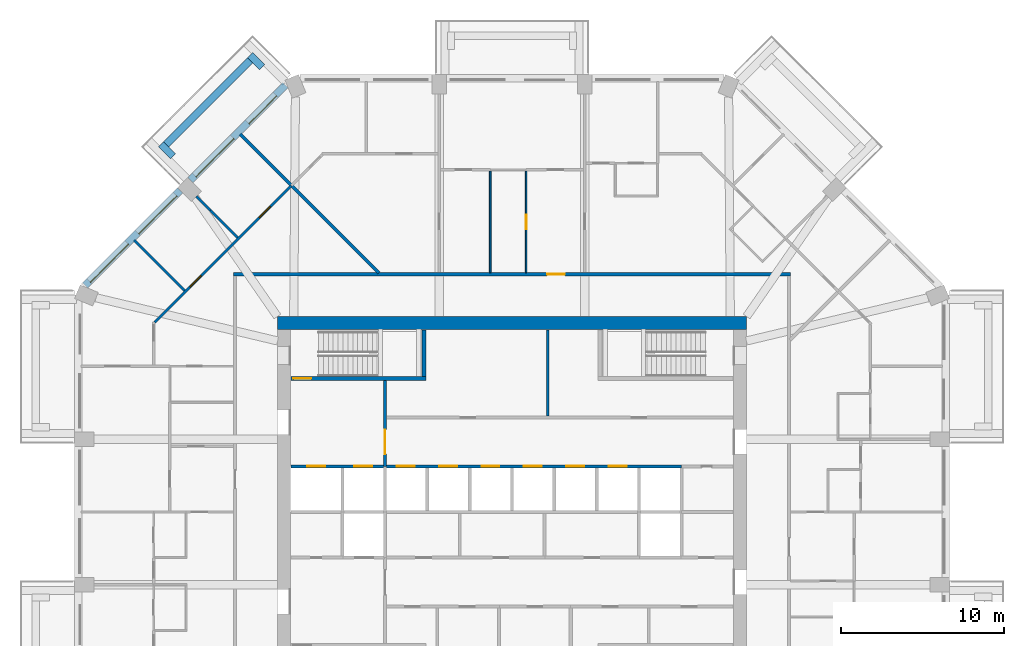
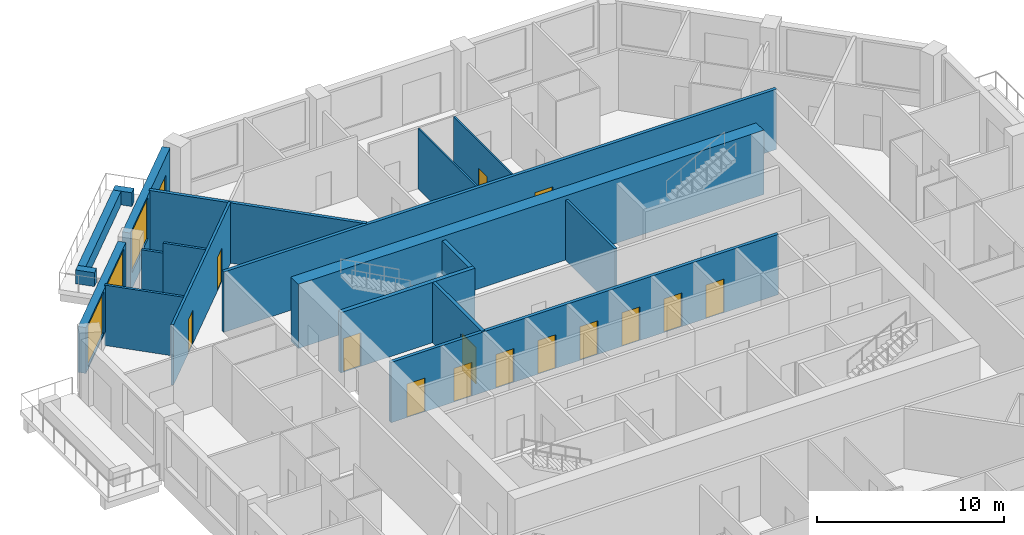
# One storey, part 8 of 13: 19 walls, 15 doors, 3 windows, 18 openings.
"""IFC4 building model written with IfcOpenShell, lengths in metres."""

from ifc_helpers import new_model, si_unit, direction, frame, frame_2d, origin, place, context, subcontext, project, spatial, rectangle, extrude, material, layer, layer_set, type_object, element, fill, save


model = new_model("IFC4")

# Units and contexts
model_context = context("Model", 3, precision=1e-05, world=origin(), true_north=direction((0.0, 1.0)))
body_context = subcontext(model_context, "Body", "Model", "MODEL_VIEW")
ifc_project = project(units=[si_unit("LENGTHUNIT", "METRE"), si_unit("AREAUNIT", "SQUARE_METRE"), si_unit("VOLUMEUNIT", "CUBIC_METRE"), si_unit("PLANEANGLEUNIT", "RADIAN"), si_unit("MASSUNIT", "GRAM", prefix="KILO")], contexts=[model_context])

# Site, building, storey
site_placement = place(None, origin())
site = spatial("IfcSite", under=ifc_project, at=site_placement, CompositionType="ELEMENT")
building_placement = place(site_placement, origin())
building = spatial("IfcBuilding", under=site, at=building_placement, Name="Msitu Wima Residences", CompositionType="ELEMENT")
storey_placement = place(building_placement, frame((0.0, 0.0, 131.699951171875)))
storey = spatial("IfcBuildingStorey", under=building, at=storey_placement, Name="L30", CompositionType="ELEMENT", Elevation=131.699951171875)

# Walls
ifc_material_1 = material(Name="Facing brick")
ifc_layer_1 = layer(ifc_material_1, 0.06494140625, Name="Facing brick")
ifc_material_2 = material(Name="Concrete C40/50", Category="concrete")
ifc_layer_2 = layer(ifc_material_2, 0.156005859375, Name="Concrete C40/50")
ifc_material_3 = material(Name="Waterproofing membrane")
ifc_layer_3 = layer(ifc_material_3, 0.00390625, Name="Waterproofing membrane")
ifc_material_4 = material(Name="Planting soil and planting")
ifc_layer_4 = layer(ifc_material_4, 0.22509765625, Name="Planting soil and planting")
ifc_layer_set_1 = layer_set([ifc_layer_1, ifc_layer_2, ifc_layer_3, ifc_layer_4], Name="Concrete C40/50")
wall_type_1 = type_object("IfcWallType", Name="Balcony planter PLANTER PL450", PredefinedType="USERDEFINED", material=ifc_layer_set_1)
wall_1_placement = place(storey_placement, frame((-16.0751953125, 27.725830078125, 0.0), z_axis=(0.0, 0.0, 1.0), x_axis=(-0.707106781187, -0.707106781187, 0.0)))
element("IfcWall", 1, at=wall_1_placement, inside=storey, type_object=wall_type_1, Name="Balcony planter NW0 L30", ObjectType="PLANTER", PredefinedType="USERDEFINED", context=body_context, shape_type="SweptSolid", body=[
    extrude(rectangle(XDim=7.288330078125, YDim=0.449951171875, at=frame_2d((3.64404296875, 0.0))), origin(), (0.0, 0.0, 1.0), 0.900146484375),
])
for number, where, z_axis, x_axis, name in (
    (2, (-15.332763671875, 27.301513671875, 0.0), (0.0, 0.0, 1.0), (-0.707106781187, 0.707106781187, 0.0), "Balcony planter NW0 L30"),
    (3, (-20.804443359375, 21.829833984375, 0.0), (0.0, 0.0, 1.0), (-0.707106781187, 0.707106781187, 0.0), "Balcony planter NW0 L30"),
):
    element("IfcWall", number, at=place(storey_placement, frame(where, z_axis=z_axis, x_axis=x_axis)), inside=storey, type_object=wall_type_1, Name=name, ObjectType="PLANTER", PredefinedType="USERDEFINED", context=body_context, shape_type="SweptSolid", body=[
        extrude(rectangle(XDim=1.050048828125, YDim=0.449951171875, at=frame_2d((0.52490234375, 0.0))), origin(), (0.0, 0.0, 1.0), 0.900146484375),
    ])

# Wall, openings, door, window
ifc_material_5 = material(Name="Brick (red buff mix)", Category="masonry")
ifc_layer_5 = layer(ifc_material_5, 0.449951171875)
ifc_layer_set_2 = layer_set([ifc_layer_5], Name="Brick (red buff mix)")
wall_type_2 = type_object("IfcWallType", Name="Brick infill wall BW450", PredefinedType="SOLIDWALL", material=ifc_layer_set_2)
wall_2_placement = place(storey_placement, frame((-13.909423828125, 26.214599609375, 0.0), z_axis=(0.0, 0.0, 1.0), x_axis=(-0.707106781187, -0.707106781187, 0.0)))
wall_2 = element("IfcWall", 4, at=wall_2_placement, inside=storey, type_object=wall_type_2, Name="Brick infill wall L30 NW0", PredefinedType="SOLIDWALL", context=body_context, shape_type="SweptSolid", body=[
    extrude(rectangle(XDim=8.251220703125, YDim=0.449951171875, at=frame_2d((4.12548828125, 0.0))), origin(), (0.0, 0.0, 1.0), 3.900146484375),
])
opening_1_placement = place(wall_2_placement, frame((0.86279296875, 0.0, 0.0)))
opening_1 = element("IfcOpeningElement", 5, at=opening_1_placement, cuts=wall_2, Name="Opening D30-32.005", PredefinedType="OPENING", context=body_context, shape_type="SweptSolid", body=[
    extrude(rectangle(XDim=2.39990234375, YDim=2.699951171875, at=frame_2d((1.199951171875, 1.35009765625))), frame((0.0, 0.23486328125, 0.0), z_axis=(0.0, -1.0, 0.0), x_axis=(1.0, 0.0, 0.0)), (0.0, 0.0, 1.0), 0.469970703125),
])
opening_2_placement = place(wall_2_placement, frame((4.57568359375, 0.0, 1.050048828125)))
opening_2 = element("IfcOpeningElement", 6, at=opening_2_placement, cuts=wall_2, Name="Opening W30-32.013", PredefinedType="OPENING", context=body_context, shape_type="SweptSolid", body=[
    extrude(rectangle(XDim=3.300048828125, YDim=2.699951171875, at=frame_2d((1.64990234375, 1.35009765625))), frame((0.0, 0.23486328125, 0.0), z_axis=(0.0, -1.0, 0.0), x_axis=(1.0, 0.0, 0.0)), (0.0, 0.0, 1.0), 0.469970703125),
])
ifc_material_6 = material(Name="Anodised aluminium, bronze finish, clear low-emissivity double glazing", Category="aluminium")
door_type_1 = type_object("IfcDoorType", Name="Balcony door D2400x2700", OperationType="SLIDING_TO_LEFT", PredefinedType="DOOR", material=ifc_material_6)
door_1_placement = place(opening_1_placement, origin())
door_1 = element("IfcDoor", 7, at=door_1_placement, inside=storey, type_object=door_type_1, Name="Balcony door L30 NW0", OperationType="SINGLE_SWING_LEFT", OverallHeight=2.699951171875, OverallWidth=2.39990234375, PredefinedType="DOOR", context=body_context, shape_type="SweptSolid", body=[
    extrude(rectangle(XDim=2.39990234375, YDim=2.699951171875, at=frame_2d((1.199951171875, 1.35009765625))), frame((0.0, 0.1298828125, 0.0), z_axis=(0.0, -1.0, 0.0), x_axis=(1.0, 0.0, 0.0)), (0.0, 0.0, 1.0), 0.050048828125),
])
fill(opening_1, door_1)
window_type = type_object("IfcWindowType", Name="Window W3300x2700", PartitioningType="DOUBLE_PANEL_VERTICAL", PredefinedType="WINDOW", material=ifc_material_6)
window_1_placement = place(opening_2_placement, origin())
window_1 = element("IfcWindow", 8, at=window_1_placement, inside=storey, type_object=window_type, Name="Window L30 NW0.2", OverallHeight=2.699951171875, OverallWidth=3.300048828125, PartitioningType="SINGLE_PANEL", PredefinedType="WINDOW", context=body_context, shape_type="SweptSolid", body=[
    extrude(rectangle(XDim=3.300048828125, YDim=2.699951171875, at=frame_2d((1.64990234375, 1.35009765625))), frame((0.0, 0.135009765625, 0.0), z_axis=(0.0, -1.0, 0.0), x_axis=(1.0, 0.0, 0.0)), (0.0, 0.0, 1.0), 0.06005859375),
])
fill(opening_2, window_1)

# Wall, openings, windows
wall_3_placement = place(storey_placement, frame((-20.380126953125, 19.743896484375, 0.900146484375), z_axis=(0.0, 0.0, 1.0), x_axis=(-0.707106781187, -0.707106781187, 0.0)))
wall_3 = element("IfcWall", 9, at=wall_3_placement, inside=storey, type_object=wall_type_2, Name="Brick infill wall L30 NW1", PredefinedType="SOLIDWALL", context=body_context, shape_type="SweptSolid", body=[
    extrude(rectangle(XDim=8.251220703125, YDim=0.449951171875, at=frame_2d((4.12548828125, 0.0))), origin(), (0.0, 0.0, 1.0), 3.0),
])
opening_3_placement = place(wall_3_placement, frame((0.37548828125, 0.0, 0.14990234375)))
opening_3 = element("IfcOpeningElement", 10, at=opening_3_placement, cuts=wall_3, Name="Opening W30-32.014", PredefinedType="OPENING", context=body_context, shape_type="SweptSolid", body=[
    extrude(rectangle(XDim=3.300048828125, YDim=2.699951171875, at=frame_2d((1.64990234375, 1.35009765625))), frame((0.0, 0.23486328125, 0.0), z_axis=(0.0, -1.0, 0.0), x_axis=(1.0, 0.0, 0.0)), (0.0, 0.0, 1.0), 0.469970703125),
])
opening_4_placement = place(wall_3_placement, frame((4.57568359375, 0.0, 0.14990234375)))
opening_4 = element("IfcOpeningElement", 11, at=opening_4_placement, cuts=wall_3, Name="Opening W30-32.015", PredefinedType="OPENING", context=body_context, shape_type="SweptSolid", body=[
    extrude(rectangle(XDim=3.300048828125, YDim=2.699951171875, at=frame_2d((1.64990234375, 1.35009765625))), frame((0.0, 0.23486328125, 0.0), z_axis=(0.0, -1.0, 0.0), x_axis=(1.0, 0.0, 0.0)), (0.0, 0.0, 1.0), 0.469970703125),
])
window_2_placement = place(opening_3_placement, origin())
window_2 = element("IfcWindow", 12, at=window_2_placement, inside=storey, type_object=window_type, Name="Window L30 NW1.1", OverallHeight=2.699951171875, OverallWidth=3.300048828125, PartitioningType="SINGLE_PANEL", PredefinedType="WINDOW", context=body_context, shape_type="SweptSolid", body=[
    extrude(rectangle(XDim=3.300048828125, YDim=2.699951171875, at=frame_2d((1.64990234375, 1.35009765625))), frame((0.0, 0.135009765625, 0.0), z_axis=(0.0, -1.0, 0.0), x_axis=(1.0, 0.0, 0.0)), (0.0, 0.0, 1.0), 0.06005859375),
])
fill(opening_3, window_2)
window_3_placement = place(opening_4_placement, origin())
window_3 = element("IfcWindow", 13, at=window_3_placement, inside=storey, type_object=window_type, Name="Window L30 NW1.2", OverallHeight=2.699951171875, OverallWidth=3.300048828125, PartitioningType="SINGLE_PANEL", PredefinedType="WINDOW", context=body_context, shape_type="SweptSolid", body=[
    extrude(rectangle(XDim=3.300048828125, YDim=2.699951171875, at=frame_2d((1.64990234375, 1.35009765625))), frame((0.0, 0.135009765625, 0.0), z_axis=(0.0, -1.0, 0.0), x_axis=(1.0, 0.0, 0.0)), (0.0, 0.0, 1.0), 0.06005859375),
])
fill(opening_4, window_3)

# Wall
ifc_material_7 = material(Name="Concrete C70/85", Category="concrete")
ifc_layer_6 = layer(ifc_material_7, 0.800048828125)
ifc_layer_set_3 = layer_set([ifc_layer_6], Name="Concrete C70/85")
wall_type_3 = type_object("IfcWallType", Name="Core wall CW800 C70/85", PredefinedType="SHEAR", material=ifc_layer_set_3)
wall_4_placement = place(storey_placement, frame((-14.39990234375, 11.60009765625, 0.0), z_axis=(0.0, 0.0, 1.0), x_axis=(1.0, 0.0, 0.0)))
element("IfcWall", 14, at=wall_4_placement, inside=storey, type_object=wall_type_3, Name="Core wall", PredefinedType="SHEAR", context=body_context, shape_type="SweptSolid", body=[
    extrude(rectangle(XDim=28.7998046875, YDim=0.800048828125, at=frame_2d((14.39990234375, 0.0))), origin(), (0.0, 0.0, 1.0), 4.199951171875),
])

# Wall, opening, door
ifc_material_8 = material(Name="Plaster")
ifc_layer_7 = layer(ifc_material_8, 0.011962890625, Name="Plaster")
ifc_material_9 = material(Name="Concrete blockwork", Category="masonry")
ifc_layer_8 = layer(ifc_material_9, 0.176025390625, Name="Concrete blockwork")
ifc_layer_9 = layer(ifc_material_8, 0.011962890625, Name="Plaster")
ifc_layer_set_4 = layer_set([ifc_layer_7, ifc_layer_8, ifc_layer_9], Name="Concrete blockwork")
wall_type_4 = type_object("IfcWallType", Name="Corridor wall FW200", PredefinedType="PARTITIONING", material=ifc_layer_set_4)
wall_5_placement = place(storey_placement, frame((-17.10009765625, 14.60009765625, 0.0), z_axis=(0.0, 0.0, 1.0), x_axis=(1.0, 0.0, 0.0)))
wall_5 = element("IfcWall", 15, at=wall_5_placement, inside=storey, type_object=wall_type_4, Name="Corridor wall", PredefinedType="PARTITIONING", context=body_context, shape_type="SweptSolid", body=[
    extrude(rectangle(XDim=34.2001953125, YDim=0.199951171875, at=frame_2d((17.10009765625, 0.0))), origin(), (0.0, 0.0, 1.0), 3.949951171875),
])
opening_5_placement = place(wall_5_placement, frame((19.25, 0.0, 0.0)))
opening_5 = element("IfcOpeningElement", 16, at=opening_5_placement, cuts=wall_5, Name="Opening D30-32.011", PredefinedType="OPENING", context=body_context, shape_type="SweptSolid", body=[
    extrude(rectangle(XDim=1.10009765625, YDim=2.39990234375, at=frame_2d((0.550048828125, 1.199951171875))), frame((0.0, 0.10986328125, 0.0), z_axis=(0.0, -1.0, 0.0), x_axis=(1.0, 0.0, 0.0)), (0.0, 0.0, 1.0), 0.219970703125),
])
ifc_material_10 = material(Name="Timber flush door, fire resisting, self-closing", Category="wood")
door_type_2 = type_object("IfcDoorType", Name="Flat entrance door D01 1100x2400", OperationType="SINGLE_SWING_LEFT", PredefinedType="DOOR", material=ifc_material_10)
door_2_placement = place(opening_5_placement, origin())
door_2 = element("IfcDoor", 17, at=door_2_placement, inside=storey, type_object=door_type_2, Name="Flat entrance door", OperationType="SINGLE_SWING_RIGHT", OverallHeight=2.39990234375, OverallWidth=1.10009765625, PredefinedType="DOOR", context=body_context, shape_type="SweptSolid", body=[
    extrude(rectangle(XDim=1.10009765625, YDim=2.39990234375, at=frame_2d((0.550048828125, 1.199951171875))), frame((0.0, 0.02490234375, 0.0), z_axis=(0.0, -1.0, 0.0), x_axis=(1.0, 0.0, 0.0)), (0.0, 0.0, 1.0), 0.050048828125),
])
fill(opening_5, door_2)

wall_6_placement = place(storey_placement, frame((-7.800048828125, 2.800048828125, 0.0), z_axis=(0.0, 0.0, 1.0), x_axis=(0.0, 1.0, 0.0)))
wall_6 = element("IfcWall", 18, at=wall_6_placement, inside=storey, type_object=wall_type_4, Name="Corridor wall", PredefinedType="PARTITIONING", context=body_context, shape_type="SweptSolid", body=[
    extrude(rectangle(XDim=5.27490234375, YDim=0.199951171875, at=frame_2d((2.637451171875, 0.0))), origin(), (0.0, 0.0, 1.0), 3.949951171875),
])
opening_6_placement = place(wall_6_placement, frame((0.75, 0.0, 0.0)))
opening_6 = element("IfcOpeningElement", 19, at=opening_6_placement, cuts=wall_6, Name="Opening D30-32.017", PredefinedType="OPENING", context=body_context, shape_type="SweptSolid", body=[
    extrude(rectangle(XDim=1.5, YDim=2.39990234375, at=frame_2d((0.75, 1.199951171875))), frame((0.0, 0.10986328125, 0.0), z_axis=(0.0, -1.0, 0.0), x_axis=(1.0, 0.0, 0.0)), (0.0, 0.0, 1.0), 0.219970703125),
])
ifc_material_11 = material(Name="Steel framed glazed door, fire resisting", Category="steel")
door_type_3 = type_object("IfcDoorType", Name="Lobby door D07 1500x2400", OperationType="DOUBLE_DOOR_SINGLE_SWING", PredefinedType="DOOR", material=ifc_material_11)
door_3_placement = place(opening_6_placement, origin())
door_3 = element("IfcDoor", 20, at=door_3_placement, inside=storey, type_object=door_type_3, Name="Lobby door", OperationType="DOUBLE_DOOR_SINGLE_SWING", OverallHeight=2.39990234375, OverallWidth=1.5, PredefinedType="DOOR", context=body_context, shape_type="SweptSolid", body=[
    extrude(rectangle(XDim=1.5, YDim=2.39990234375, at=frame_2d((0.75, 1.199951171875))), frame((0.0, 0.02490234375, 0.0), z_axis=(0.0, -1.0, 0.0), x_axis=(1.0, 0.0, 0.0)), (0.0, 0.0, 1.0), 0.050048828125),
])
fill(opening_6, door_3)

# Wall
ifc_layer_10 = layer(ifc_material_8, 0.011962890625, Name="Plaster")
ifc_layer_11 = layer(ifc_material_9, 0.1259765625, Name="Concrete blockwork")
ifc_layer_12 = layer(ifc_material_8, 0.011962890625, Name="Plaster")
ifc_layer_set_5 = layer_set([ifc_layer_10, ifc_layer_11, ifc_layer_12], Name="Concrete blockwork")
wall_type_5 = type_object("IfcWallType", Name="Partition PW150", PredefinedType="PARTITIONING", material=ifc_layer_set_5)
wall_7_placement = place(storey_placement, frame((-23.1904296875, 16.693359375, 0.0), z_axis=(0.0, 0.0, 1.0), x_axis=(0.707106781187, -0.707106781187, 0.0)))
element("IfcWall", 21, at=wall_7_placement, inside=storey, type_object=wall_type_5, Name="Partition", PredefinedType="PARTITIONING", context=body_context, shape_type="SweptSolid", body=[
    extrude(rectangle(XDim=4.380126953125, YDim=0.14990234375, at=frame_2d((2.18994140625, 0.0))), origin(), (0.0, 0.0, 1.0), 3.949951171875),
])

# Wall, openings, doors
wall_8_placement = place(storey_placement, frame((-21.947021484375, 11.636474609375, 0.0), z_axis=(0.0, 0.0, 1.0), x_axis=(0.707106781187, 0.707106781187, 0.0)))
wall_8 = element("IfcWall", 22, at=wall_8_placement, inside=storey, type_object=wall_type_5, Name="Partition", PredefinedType="PARTITIONING", context=body_context, shape_type="SweptSolid", body=[
    extrude(rectangle(XDim=11.884765625, YDim=0.14990234375, at=frame_2d((5.9423828125, 0.0))), origin(), (0.0, 0.0, 1.0), 3.949951171875),
])
opening_7_placement = place(wall_8_placement, frame((9.10009765625, 0.0, 0.0)))
opening_7 = element("IfcOpeningElement", 23, at=opening_7_placement, cuts=wall_8, Name="Opening D30-32.056", PredefinedType="OPENING", context=body_context, shape_type="SweptSolid", body=[
    extrude(rectangle(XDim=0.949951171875, YDim=2.199951171875, at=frame_2d((0.47509765625, 1.10009765625))), frame((0.0, 0.0849609375, 0.0), z_axis=(0.0, -1.0, 0.0), x_axis=(1.0, 0.0, 0.0)), (0.0, 0.0, 1.0), 0.169921875),
])
opening_8_placement = place(wall_8_placement, frame((3.10009765625, 0.0, 0.0)))
opening_8 = element("IfcOpeningElement", 24, at=opening_8_placement, cuts=wall_8, Name="Opening D30-32.057", PredefinedType="OPENING", context=body_context, shape_type="SweptSolid", body=[
    extrude(rectangle(XDim=0.949951171875, YDim=2.199951171875, at=frame_2d((0.47509765625, 1.10009765625))), frame((0.0, 0.0849609375, 0.0), z_axis=(0.0, -1.0, 0.0), x_axis=(1.0, 0.0, 0.0)), (0.0, 0.0, 1.0), 0.169921875),
])
ifc_material_12 = material(Name="Timber flush door", Category="wood")
door_type_4 = type_object("IfcDoorType", Name="Room door D12 950x2200", OperationType="SINGLE_SWING_LEFT", PredefinedType="DOOR", material=ifc_material_12)
door_4_placement = place(opening_7_placement, origin())
door_4 = element("IfcDoor", 25, at=door_4_placement, inside=storey, type_object=door_type_4, Name="Room door", OperationType="SINGLE_SWING_LEFT", OverallHeight=2.199951171875, OverallWidth=0.949951171875, PredefinedType="DOOR", context=body_context, shape_type="SweptSolid", body=[
    extrude(rectangle(XDim=0.949951171875, YDim=2.199951171875, at=frame_2d((0.47509765625, 1.10009765625))), frame((0.0, 0.02490234375, 0.0), z_axis=(0.0, -1.0, 0.0), x_axis=(1.0, 0.0, 0.0)), (0.0, 0.0, 1.0), 0.050048828125),
])
fill(opening_7, door_4)
door_5_placement = place(opening_8_placement, origin())
door_5 = element("IfcDoor", 26, at=door_5_placement, inside=storey, type_object=door_type_4, Name="Room door", OperationType="SINGLE_SWING_LEFT", OverallHeight=2.199951171875, OverallWidth=0.949951171875, PredefinedType="DOOR", context=body_context, shape_type="SweptSolid", body=[
    extrude(rectangle(XDim=0.949951171875, YDim=2.199951171875, at=frame_2d((0.47509765625, 1.10009765625))), frame((0.0, 0.02490234375, 0.0), z_axis=(0.0, -1.0, 0.0), x_axis=(1.0, 0.0, 0.0)), (0.0, 0.0, 1.0), 0.050048828125),
])
fill(opening_8, door_5)

# Walls
wall_9_placement = place(storey_placement, frame((-19.37255859375, 19.37255859375, 0.0), z_axis=(0.0, 0.0, 1.0), x_axis=(0.707106781187, -0.707106781187, 0.0)))
element("IfcWall", 27, at=wall_9_placement, inside=storey, type_object=wall_type_5, Name="Partition", PredefinedType="PARTITIONING", context=body_context, shape_type="SweptSolid", body=[
    extrude(rectangle(XDim=1.209228515625, YDim=0.14990234375, at=frame_2d((0.6044921875, 0.0))), origin(), (0.0, 0.0, 1.0), 3.300048828125),
])
wall_10_placement = place(storey_placement, frame((-18.517578125, 18.517578125, 0.0), z_axis=(0.0, 0.0, 1.0), x_axis=(0.707106781187, -0.707106781187, 0.0)))
element("IfcWall", 28, at=wall_10_placement, inside=storey, type_object=wall_type_5, Name="Partition", PredefinedType="PARTITIONING", context=body_context, shape_type="SweptSolid", body=[
    extrude(rectangle(XDim=2.36572265625, YDim=0.14990234375, at=frame_2d((1.182861328125, 0.0))), origin(), (0.0, 0.0, 1.0), 3.949951171875),
])
wall_11_placement = place(storey_placement, frame((2.199951171875, 5.89990234375, 0.0), z_axis=(0.0, 0.0, 1.0), x_axis=(0.0, 1.0, 0.0)))
element("IfcWall", 29, at=wall_11_placement, inside=storey, type_object=wall_type_5, Name="Partition", PredefinedType="PARTITIONING", context=body_context, shape_type="SweptSolid", body=[
    extrude(rectangle(XDim=5.27001953125, YDim=0.14990234375, at=frame_2d((2.635009765625, 0.0))), origin(), (0.0, 0.0, 1.0), 3.949951171875),
])
ifc_layer_13 = layer(ifc_material_8, 0.011962890625, Name="Plaster")
ifc_material_13 = material(Name="Dense concrete blockwork", Category="masonry")
ifc_layer_14 = layer(ifc_material_13, 0.176025390625, Name="Dense concrete blockwork")
ifc_layer_15 = layer(ifc_material_8, 0.011962890625, Name="Plaster")
ifc_layer_set_6 = layer_set([ifc_layer_13, ifc_layer_14, ifc_layer_15], Name="Dense concrete blockwork")
wall_type_6 = type_object("IfcWallType", Name="Party wall PW200", PredefinedType="PARTITIONING", material=ifc_layer_set_6)
wall_12_placement = place(storey_placement, frame((-16.693359375, 23.1904296875, 0.0), z_axis=(0.0, 0.0, 1.0), x_axis=(0.707106781187, -0.707106781187, 0.0)))
element("IfcWall", 30, at=wall_12_placement, inside=storey, type_object=wall_type_6, Name="Party wall", PredefinedType="PARTITIONING", context=body_context, shape_type="SweptSolid", body=[
    extrude(rectangle(XDim=12.048828125, YDim=0.199951171875, at=frame_2d((6.0244140625, 0.0))), origin(), (0.0, 0.0, 1.0), 3.949951171875),
])

# Wall, openings, doors
ifc_material_14 = material(Name="Fire-rated board")
ifc_layer_16 = layer(ifc_material_14, 0.02490234375, Name="Fire-rated board")
ifc_material_15 = material(Name="Light-gauge stud framing with mineral wool")
ifc_layer_17 = layer(ifc_material_15, 0.14990234375, Name="Light-gauge stud framing with mineral wool")
ifc_layer_18 = layer(ifc_material_14, 0.02490234375, Name="Fire-rated board")
ifc_layer_set_7 = layer_set([ifc_layer_16, ifc_layer_17, ifc_layer_18], Name="Light-gauge stud framing with mineral wool")
wall_type_7 = type_object("IfcWallType", Name="Shaft wall SH200", PredefinedType="PARTITIONING", material=ifc_layer_set_7)
wall_13_placement = place(storey_placement, frame((-13.570068359375, 2.800048828125, 0.0), z_axis=(0.0, 0.0, 1.0), x_axis=(1.0, 0.0, 0.0)))
wall_13 = element("IfcWall", 31, at=wall_13_placement, inside=storey, type_object=wall_type_7, Name="Shaft wall", PredefinedType="PARTITIONING", context=body_context, shape_type="SweptSolid", body=[
    extrude(rectangle(XDim=23.969970703125, YDim=0.199951171875, at=frame_2d((11.98486328125, 0.0))), origin(), (0.0, 0.0, 1.0), 3.949951171875),
])
opening_9_placement = place(wall_13_placement, frame((1.0, 0.0, 0.0)))
opening_9 = element("IfcOpeningElement", 32, at=opening_9_placement, cuts=wall_13, Name="Opening LD", PredefinedType="OPENING", context=body_context, shape_type="SweptSolid", body=[
    extrude(rectangle(XDim=1.10009765625, YDim=2.199951171875, at=frame_2d((0.550048828125, 1.10009765625))), frame((0.0, 0.10986328125, 0.0), z_axis=(0.0, -1.0, 0.0), x_axis=(1.0, 0.0, 0.0)), (0.0, 0.0, 1.0), 0.219970703125),
])
opening_10_placement = place(wall_13_placement, frame((3.89990234375, 0.0, 0.0)))
opening_10 = element("IfcOpeningElement", 33, at=opening_10_placement, cuts=wall_13, Name="Opening LD", PredefinedType="OPENING", context=body_context, shape_type="SweptSolid", body=[
    extrude(rectangle(XDim=1.10009765625, YDim=2.199951171875, at=frame_2d((0.550048828125, 1.10009765625))), frame((0.0, 0.10986328125, 0.0), z_axis=(0.0, -1.0, 0.0), x_axis=(1.0, 0.0, 0.0)), (0.0, 0.0, 1.0), 0.219970703125),
])
opening_11_placement = place(wall_13_placement, frame((6.5, 0.0, 0.0)))
opening_11 = element("IfcOpeningElement", 34, at=opening_11_placement, cuts=wall_13, Name="Opening LD", PredefinedType="OPENING", context=body_context, shape_type="SweptSolid", body=[
    extrude(rectangle(XDim=1.10009765625, YDim=2.199951171875, at=frame_2d((0.550048828125, 1.10009765625))), frame((0.0, 0.10986328125, 0.0), z_axis=(0.0, -1.0, 0.0), x_axis=(1.0, 0.0, 0.0)), (0.0, 0.0, 1.0), 0.219970703125),
])
opening_12_placement = place(wall_13_placement, frame((9.10009765625, 0.0, 0.0)))
opening_12 = element("IfcOpeningElement", 35, at=opening_12_placement, cuts=wall_13, Name="Opening LD", PredefinedType="OPENING", context=body_context, shape_type="SweptSolid", body=[
    extrude(rectangle(XDim=1.10009765625, YDim=2.199951171875, at=frame_2d((0.550048828125, 1.10009765625))), frame((0.0, 0.10986328125, 0.0), z_axis=(0.0, -1.0, 0.0), x_axis=(1.0, 0.0, 0.0)), (0.0, 0.0, 1.0), 0.219970703125),
])
opening_13_placement = place(wall_13_placement, frame((11.699951171875, 0.0, 0.0)))
opening_13 = element("IfcOpeningElement", 36, at=opening_13_placement, cuts=wall_13, Name="Opening LD", PredefinedType="OPENING", context=body_context, shape_type="SweptSolid", body=[
    extrude(rectangle(XDim=1.10009765625, YDim=2.199951171875, at=frame_2d((0.550048828125, 1.10009765625))), frame((0.0, 0.10986328125, 0.0), z_axis=(0.0, -1.0, 0.0), x_axis=(1.0, 0.0, 0.0)), (0.0, 0.0, 1.0), 0.219970703125),
])
opening_14_placement = place(wall_13_placement, frame((14.300048828125, 0.0, 0.0)))
opening_14 = element("IfcOpeningElement", 37, at=opening_14_placement, cuts=wall_13, Name="Opening LD", PredefinedType="OPENING", context=body_context, shape_type="SweptSolid", body=[
    extrude(rectangle(XDim=1.10009765625, YDim=2.199951171875, at=frame_2d((0.550048828125, 1.10009765625))), frame((0.0, 0.10986328125, 0.0), z_axis=(0.0, -1.0, 0.0), x_axis=(1.0, 0.0, 0.0)), (0.0, 0.0, 1.0), 0.219970703125),
])
opening_15_placement = place(wall_13_placement, frame((16.89990234375, 0.0, 0.0)))
opening_15 = element("IfcOpeningElement", 38, at=opening_15_placement, cuts=wall_13, Name="Opening LD", PredefinedType="OPENING", context=body_context, shape_type="SweptSolid", body=[
    extrude(rectangle(XDim=1.10009765625, YDim=2.199951171875, at=frame_2d((0.550048828125, 1.10009765625))), frame((0.0, 0.10986328125, 0.0), z_axis=(0.0, -1.0, 0.0), x_axis=(1.0, 0.0, 0.0)), (0.0, 0.0, 1.0), 0.219970703125),
])
opening_16_placement = place(wall_13_placement, frame((19.5, 0.0, 0.0)))
opening_16 = element("IfcOpeningElement", 39, at=opening_16_placement, cuts=wall_13, Name="Opening LD", PredefinedType="OPENING", context=body_context, shape_type="SweptSolid", body=[
    extrude(rectangle(XDim=1.10009765625, YDim=2.199951171875, at=frame_2d((0.550048828125, 1.10009765625))), frame((0.0, 0.10986328125, 0.0), z_axis=(0.0, -1.0, 0.0), x_axis=(1.0, 0.0, 0.0)), (0.0, 0.0, 1.0), 0.219970703125),
])
ifc_material_16 = material(Name="Stainless steel centre-opening landing door, rated", Category="steel")
door_type_5 = type_object("IfcDoorType", Name="Lift landing door LD 1100x2200", OperationType="DOUBLE_DOOR_SLIDING", PredefinedType="DOOR", material=ifc_material_16)
door_6_placement = place(opening_9_placement, origin())
door_6 = element("IfcDoor", 40, at=door_6_placement, inside=storey, type_object=door_type_5, Name="Lift landing door LD1", OperationType="DOUBLE_DOOR_SLIDING", OverallHeight=2.199951171875, OverallWidth=1.10009765625, PredefinedType="DOOR", context=body_context, shape_type="SweptSolid", body=[
    extrude(rectangle(XDim=1.10009765625, YDim=2.199951171875, at=frame_2d((0.550048828125, 1.10009765625))), frame((0.0, 0.02490234375, 0.0), z_axis=(0.0, -1.0, 0.0), x_axis=(1.0, 0.0, 0.0)), (0.0, 0.0, 1.0), 0.050048828125),
])
fill(opening_9, door_6)
door_7_placement = place(opening_10_placement, origin())
door_7 = element("IfcDoor", 41, at=door_7_placement, inside=storey, type_object=door_type_5, Name="Lift landing door LD2", OperationType="DOUBLE_DOOR_SLIDING", OverallHeight=2.199951171875, OverallWidth=1.10009765625, PredefinedType="DOOR", context=body_context, shape_type="SweptSolid", body=[
    extrude(rectangle(XDim=1.10009765625, YDim=2.199951171875, at=frame_2d((0.550048828125, 1.10009765625))), frame((0.0, 0.02490234375, 0.0), z_axis=(0.0, -1.0, 0.0), x_axis=(1.0, 0.0, 0.0)), (0.0, 0.0, 1.0), 0.050048828125),
])
fill(opening_10, door_7)
door_8_placement = place(opening_11_placement, origin())
door_8 = element("IfcDoor", 42, at=door_8_placement, inside=storey, type_object=door_type_5, Name="Lift landing door LD4", OperationType="DOUBLE_DOOR_SLIDING", OverallHeight=2.199951171875, OverallWidth=1.10009765625, PredefinedType="DOOR", context=body_context, shape_type="SweptSolid", body=[
    extrude(rectangle(XDim=1.10009765625, YDim=2.199951171875, at=frame_2d((0.550048828125, 1.10009765625))), frame((0.0, 0.02490234375, 0.0), z_axis=(0.0, -1.0, 0.0), x_axis=(1.0, 0.0, 0.0)), (0.0, 0.0, 1.0), 0.050048828125),
])
fill(opening_11, door_8)
door_9_placement = place(opening_12_placement, origin())
door_9 = element("IfcDoor", 43, at=door_9_placement, inside=storey, type_object=door_type_5, Name="Lift landing door LD6", OperationType="DOUBLE_DOOR_SLIDING", OverallHeight=2.199951171875, OverallWidth=1.10009765625, PredefinedType="DOOR", context=body_context, shape_type="SweptSolid", body=[
    extrude(rectangle(XDim=1.10009765625, YDim=2.199951171875, at=frame_2d((0.550048828125, 1.10009765625))), frame((0.0, 0.02490234375, 0.0), z_axis=(0.0, -1.0, 0.0), x_axis=(1.0, 0.0, 0.0)), (0.0, 0.0, 1.0), 0.050048828125),
])
fill(opening_12, door_9)
door_10_placement = place(opening_13_placement, origin())
door_10 = element("IfcDoor", 44, at=door_10_placement, inside=storey, type_object=door_type_5, Name="Lift landing door LD8", OperationType="DOUBLE_DOOR_SLIDING", OverallHeight=2.199951171875, OverallWidth=1.10009765625, PredefinedType="DOOR", context=body_context, shape_type="SweptSolid", body=[
    extrude(rectangle(XDim=1.10009765625, YDim=2.199951171875, at=frame_2d((0.550048828125, 1.10009765625))), frame((0.0, 0.02490234375, 0.0), z_axis=(0.0, -1.0, 0.0), x_axis=(1.0, 0.0, 0.0)), (0.0, 0.0, 1.0), 0.050048828125),
])
fill(opening_13, door_10)
door_11_placement = place(opening_14_placement, origin())
door_11 = element("IfcDoor", 45, at=door_11_placement, inside=storey, type_object=door_type_5, Name="Lift landing door LD10", OperationType="DOUBLE_DOOR_SLIDING", OverallHeight=2.199951171875, OverallWidth=1.10009765625, PredefinedType="DOOR", context=body_context, shape_type="SweptSolid", body=[
    extrude(rectangle(XDim=1.10009765625, YDim=2.199951171875, at=frame_2d((0.550048828125, 1.10009765625))), frame((0.0, 0.02490234375, 0.0), z_axis=(0.0, -1.0, 0.0), x_axis=(1.0, 0.0, 0.0)), (0.0, 0.0, 1.0), 0.050048828125),
])
fill(opening_14, door_11)
door_12_placement = place(opening_15_placement, origin())
door_12 = element("IfcDoor", 46, at=door_12_placement, inside=storey, type_object=door_type_5, Name="Lift landing door LD12", OperationType="DOUBLE_DOOR_SLIDING", OverallHeight=2.199951171875, OverallWidth=1.10009765625, PredefinedType="DOOR", context=body_context, shape_type="SweptSolid", body=[
    extrude(rectangle(XDim=1.10009765625, YDim=2.199951171875, at=frame_2d((0.550048828125, 1.10009765625))), frame((0.0, 0.02490234375, 0.0), z_axis=(0.0, -1.0, 0.0), x_axis=(1.0, 0.0, 0.0)), (0.0, 0.0, 1.0), 0.050048828125),
])
fill(opening_15, door_12)
door_13_placement = place(opening_16_placement, origin())
door_13 = element("IfcDoor", 47, at=door_13_placement, inside=storey, type_object=door_type_5, Name="Lift landing door LD14", OperationType="DOUBLE_DOOR_SLIDING", OverallHeight=2.199951171875, OverallWidth=1.10009765625, PredefinedType="DOOR", context=body_context, shape_type="SweptSolid", body=[
    extrude(rectangle(XDim=1.10009765625, YDim=2.199951171875, at=frame_2d((0.550048828125, 1.10009765625))), frame((0.0, 0.02490234375, 0.0), z_axis=(0.0, -1.0, 0.0), x_axis=(1.0, 0.0, 0.0)), (0.0, 0.0, 1.0), 0.050048828125),
])
fill(opening_16, door_13)

# Wall, opening, door
ifc_material_17 = material(Name="Concrete C50/60", Category="concrete")
ifc_layer_19 = layer(ifc_material_17, 0.25)
ifc_layer_set_8 = layer_set([ifc_layer_19], Name="Concrete C50/60")
wall_type_8 = type_object("IfcWallType", Name="Stair enclosure wall SW250", PredefinedType="SHEAR", material=ifc_layer_set_8)
wall_14_placement = place(storey_placement, frame((-13.570068359375, 8.199951171875, 0.0), z_axis=(0.0, 0.0, 1.0), x_axis=(1.0, 0.0, 0.0)))
wall_14 = element("IfcWall", 48, at=wall_14_placement, inside=storey, type_object=wall_type_8, Name="Stair enclosure wall", PredefinedType="SHEAR", context=body_context, shape_type="SweptSolid", body=[
    extrude(rectangle(XDim=8.295166015625, YDim=0.25, at=frame_2d((4.1474609375, 0.0))), origin(), (0.0, 0.0, 1.0), 3.949951171875),
])
opening_17_placement = place(wall_14_placement, frame((0.14990234375, 0.0, 0.0)))
opening_17 = element("IfcOpeningElement", 49, at=opening_17_placement, cuts=wall_14, Name="Opening D30-32.035", PredefinedType="OPENING", context=body_context, shape_type="SweptSolid", body=[
    extrude(rectangle(XDim=1.10009765625, YDim=2.199951171875, at=frame_2d((0.550048828125, 1.10009765625))), frame((0.0, 0.135009765625, 0.0), z_axis=(0.0, -1.0, 0.0), x_axis=(1.0, 0.0, 0.0)), (0.0, 0.0, 1.0), 0.27001953125),
])
ifc_material_18 = material(Name="Steel door, fire resisting, panic bar", Category="steel")
door_type_6 = type_object("IfcDoorType", Name="Stair door D06 1100x2200", OperationType="SINGLE_SWING_LEFT", PredefinedType="DOOR", material=ifc_material_18)
door_14_placement = place(opening_17_placement, origin())
door_14 = element("IfcDoor", 50, at=door_14_placement, inside=storey, type_object=door_type_6, Name="Stair door", OperationType="SINGLE_SWING_LEFT", OverallHeight=2.199951171875, OverallWidth=1.10009765625, PredefinedType="DOOR", context=body_context, shape_type="SweptSolid", body=[
    extrude(rectangle(XDim=1.10009765625, YDim=2.199951171875, at=frame_2d((0.550048828125, 1.10009765625))), frame((0.0, 0.02490234375, 0.0), z_axis=(0.0, -1.0, 0.0), x_axis=(1.0, 0.0, 0.0)), (0.0, 0.0, 1.0), 0.050048828125),
])
fill(opening_17, door_14)

# Walls
wall_15_placement = place(storey_placement, frame((-5.39990234375, 8.324951171875, 0.0), z_axis=(0.0, 0.0, 1.0), x_axis=(0.0, 1.0, 0.0)))
element("IfcWall", 51, at=wall_15_placement, inside=storey, type_object=wall_type_8, Name="Stair enclosure wall", PredefinedType="SHEAR", context=body_context, shape_type="SweptSolid", body=[
    extrude(rectangle(XDim=2.844970703125, YDim=0.25, at=frame_2d((1.42236328125, 0.0))), origin(), (0.0, 0.0, 1.0), 3.949951171875),
])
ifc_material_19 = material(Name="Ceramic tiles")
ifc_layer_20 = layer(ifc_material_19, 0.008056640625, Name="Ceramic tiles")
ifc_material_20 = material(Name="Moisture-resistant board")
ifc_layer_21 = layer(ifc_material_20, 0.012451171875, Name="Moisture-resistant board")
ifc_layer_22 = layer(ifc_material_15, 0.06689453125, Name="Light-gauge stud framing with mineral wool")
ifc_layer_23 = layer(ifc_material_20, 0.012451171875, Name="Moisture-resistant board")
ifc_layer_set_9 = layer_set([ifc_layer_20, ifc_layer_21, ifc_layer_22, ifc_layer_23], Name="Light-gauge stud framing with mineral wool")
wall_type_9 = type_object("IfcWallType", Name="Wet wall PW100", PredefinedType="PARTITIONING", material=ifc_layer_set_9)
wall_16_placement = place(storey_placement, frame((-1.331298828125, 14.699951171875, 0.0), z_axis=(0.0, 0.0, 1.0), x_axis=(0.0, 1.0, 0.0)))
element("IfcWall", 52, at=wall_16_placement, inside=storey, type_object=wall_type_9, Name="Wet wall", PredefinedType="PARTITIONING", context=body_context, shape_type="SweptSolid", body=[
    extrude(rectangle(XDim=6.22509765625, YDim=0.10009765625, at=frame_2d((3.112548828125, 0.0))), origin(), (0.0, 0.0, 1.0), 3.949951171875),
])

# Wall, opening, door
wall_17_placement = place(storey_placement, frame((0.86865234375, 14.699951171875, 0.0), z_axis=(0.0, 0.0, 1.0), x_axis=(0.0, 1.0, 0.0)))
wall_17 = element("IfcWall", 53, at=wall_17_placement, inside=storey, type_object=wall_type_9, Name="Wet wall", PredefinedType="PARTITIONING", context=body_context, shape_type="SweptSolid", body=[
    extrude(rectangle(XDim=6.22509765625, YDim=0.10009765625, at=frame_2d((3.112548828125, 0.0))), origin(), (0.0, 0.0, 1.0), 3.949951171875),
])
opening_18_placement = place(wall_17_placement, frame((2.64990234375, 0.0, 0.0)))
opening_18 = element("IfcOpeningElement", 54, at=opening_18_placement, cuts=wall_17, Name="Opening D30-32.051", PredefinedType="OPENING", context=body_context, shape_type="SweptSolid", body=[
    extrude(rectangle(XDim=0.89990234375, YDim=2.199951171875, at=frame_2d((0.449951171875, 1.10009765625))), frame((0.0, 0.06005859375, 0.0), z_axis=(0.0, -1.0, 0.0), x_axis=(1.0, 0.0, 0.0)), (0.0, 0.0, 1.0), 0.1201171875),
])
ifc_material_21 = material(Name="Timber flush door, moisture resistant", Category="wood")
door_type_7 = type_object("IfcDoorType", Name="Bathroom door D03 900x2200", OperationType="SINGLE_SWING_LEFT", PredefinedType="DOOR", material=ifc_material_21)
door_15_placement = place(opening_18_placement, origin())
door_15 = element("IfcDoor", 55, at=door_15_placement, inside=storey, type_object=door_type_7, Name="Bathroom door", OperationType="SINGLE_SWING_LEFT", OverallHeight=2.199951171875, OverallWidth=0.89990234375, PredefinedType="DOOR", context=body_context, shape_type="SweptSolid", body=[
    extrude(rectangle(XDim=0.89990234375, YDim=2.199951171875, at=frame_2d((0.449951171875, 1.10009765625))), frame((0.0, 0.02490234375, 0.0), z_axis=(0.0, -1.0, 0.0), x_axis=(1.0, 0.0, 0.0)), (0.0, 0.0, 1.0), 0.050048828125),
])
fill(opening_18, door_15)

save(model, "model.ifc")
